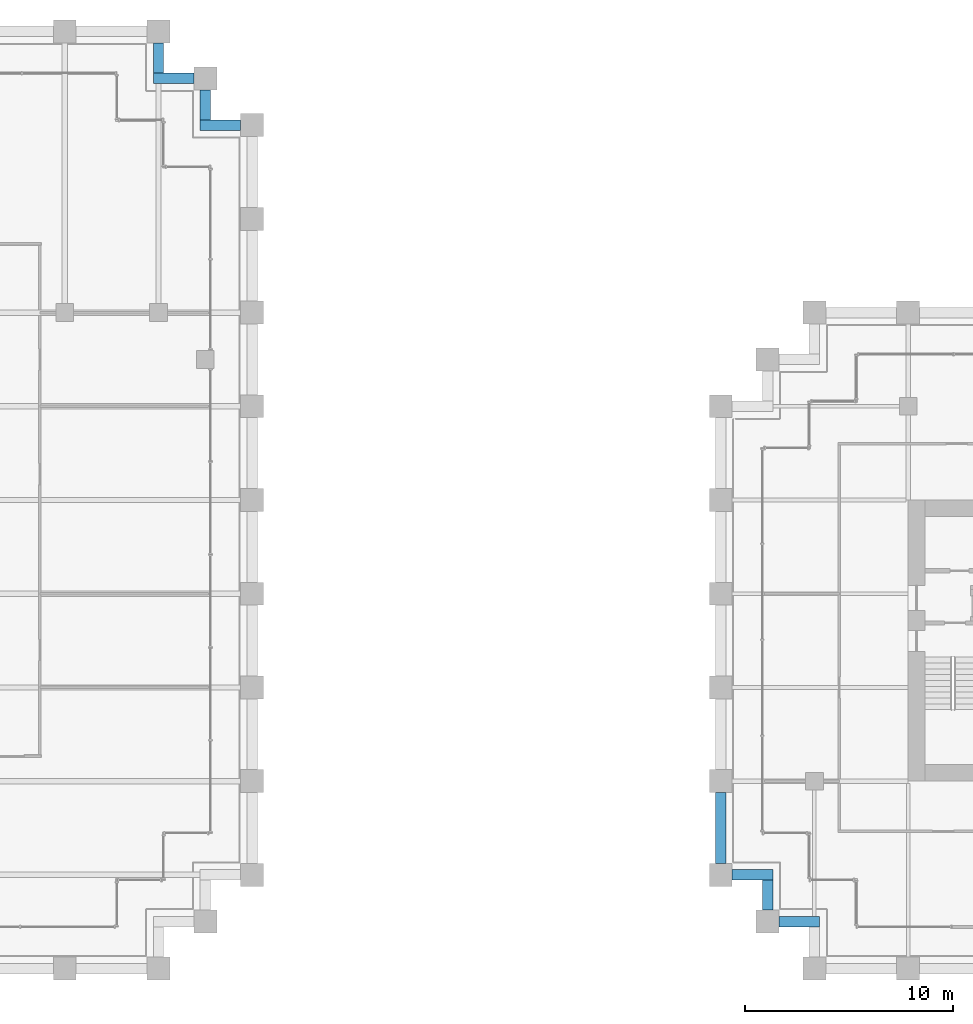
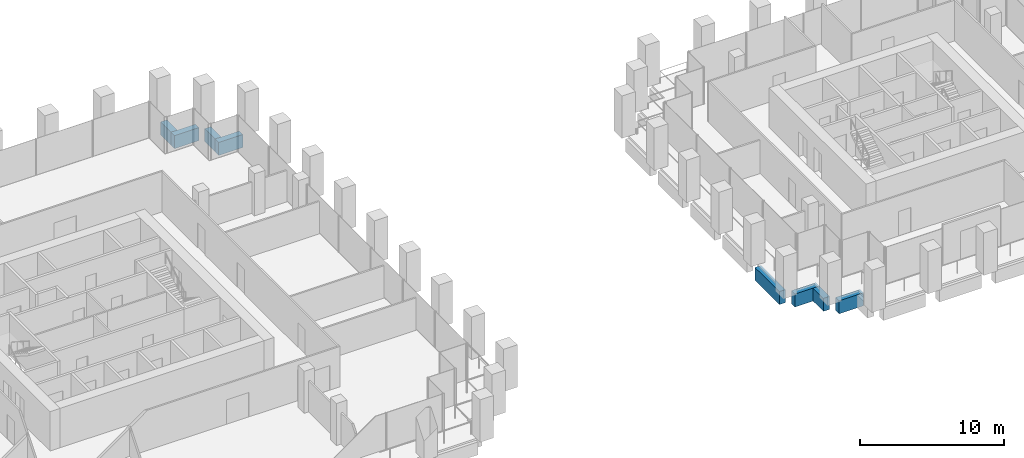
# One storey, part 33 of 56: 8 beams.
"""IFC4 building model written with IfcOpenShell, lengths in metres."""

from ifc_helpers import new_model, si_unit, direction, frame, origin, origin_2d, place, context, subcontext, project, spatial, rectangle, extrude, material, material_profile, profile_set, type_object, element, save


model = new_model("IFC4")

# Units and contexts
model_context = context("Model", 3, precision=1e-05, world=origin(), true_north=direction((0.0, 1.0)))
body_context = subcontext(model_context, "Body", "Model", "MODEL_VIEW")
ifc_project = project(units=[si_unit("LENGTHUNIT", "METRE"), si_unit("AREAUNIT", "SQUARE_METRE"), si_unit("VOLUMEUNIT", "CUBIC_METRE"), si_unit("PLANEANGLEUNIT", "RADIAN"), si_unit("MASSUNIT", "GRAM", prefix="KILO")], contexts=[model_context])

# Site, building, storey
site_placement = place(None, origin())
site = spatial("IfcSite", under=ifc_project, at=site_placement, CompositionType="ELEMENT")
building_placement = place(site_placement, origin())
building = spatial("IfcBuilding", under=site, at=building_placement, Name="Altepetl Exchange Towers", CompositionType="ELEMENT")
storey_placement = place(building_placement, frame((0.0, 0.0, 79.800048828125)))
storey = spatial("IfcBuildingStorey", under=building, at=storey_placement, Name="L19", CompositionType="ELEMENT", Elevation=79.800048828125)

# Beams
ifc_material_1 = material(Name="Concrete C50/60 precast with cantera rosa facing", Category="concrete")
ifc_material_profile_1 = material_profile(ifc_material_1, rectangle(XDim=0.5, YDim=1.10009765625, at=origin_2d()), Name="500 x 1100")
ifc_profile_set_1 = profile_set([ifc_material_profile_1], Name="Concrete C50/60 precast with cantera rosa facing")
beam_type_1 = type_object("IfcBeamType", Name="Spandrel beam 500x1100 cantera rosa", PredefinedType="SPANDREL", material=ifc_profile_set_1)
beam_1_placement = place(storey_placement, frame((71.449951171875, 67.5, -0.699951171875), z_axis=(-1.0, 0.0, 0.0), x_axis=(0.0, -1.0, 0.0)))
element("IfcBeam", 1, at=beam_1_placement, inside=storey, type_object=beam_type_1, Name="sp:A:L19:020", PredefinedType="SPANDREL", context=body_context, shape_type="SweptSolid", body=[
    extrude(rectangle(XDim=0.5, YDim=1.10009765625, at=origin_2d()), origin(), (0.0, 0.0, 1.0), 1.949951171875),
])
beam_2_placement = place(storey_placement, frame((69.75, 67.75, -0.699951171875), z_axis=(0.0, 1.0, 0.0), x_axis=(-1.0, 0.0, 0.0)))
element("IfcBeam", 2, at=beam_2_placement, inside=storey, type_object=beam_type_1, Name="sp:A:L19:021", PredefinedType="SPANDREL", context=body_context, shape_type="SweptSolid", body=[
    extrude(rectangle(XDim=0.5, YDim=1.10009765625, at=origin_2d()), origin(), (0.0, 0.0, 1.0), 1.449951171875),
])
beam_3_placement = place(storey_placement, frame((69.199951171875, 69.75, -0.699951171875), z_axis=(-1.0, 0.0, 0.0), x_axis=(0.0, -1.0, 0.0)))
element("IfcBeam", 3, at=beam_3_placement, inside=storey, type_object=beam_type_1, Name="sp:A:L19:022", PredefinedType="SPANDREL", context=body_context, shape_type="SweptSolid", body=[
    extrude(rectangle(XDim=0.5, YDim=1.10009765625, at=origin_2d()), origin(), (0.0, 0.0, 1.0), 1.949951171875),
])
beam_4_placement = place(storey_placement, frame((67.5, 70.0, -0.699951171875), z_axis=(0.0, 1.0, 0.0), x_axis=(-1.0, 0.0, 0.0)))
element("IfcBeam", 4, at=beam_4_placement, inside=storey, type_object=beam_type_1, Name="sp:A:L19:023", PredefinedType="SPANDREL", context=body_context, shape_type="SweptSolid", body=[
    extrude(rectangle(XDim=0.5, YDim=1.10009765625, at=origin_2d()), origin(), (0.0, 0.0, 1.0), 1.449951171875),
])
ifc_material_2 = material(Name="Concrete C50/60 precast with tezontle facing", Category="concrete")
ifc_material_profile_2 = material_profile(ifc_material_2, rectangle(XDim=0.5, YDim=1.10009765625, at=origin_2d()), Name="500 x 1100")
ifc_profile_set_2 = profile_set([ifc_material_profile_2], Name="Concrete C50/60 precast with tezontle facing")
beam_type_2 = type_object("IfcBeamType", Name="Spandrel beam 500x1100 tezontle", PredefinedType="SPANDREL", material=ifc_profile_set_2)
beam_5_placement = place(storey_placement, frame((94.5, 35.449951171875, -0.699951171875), z_axis=(0.0, -1.0, 0.0), x_axis=(1.0, 0.0, 0.0)))
element("IfcBeam", 5, at=beam_5_placement, inside=storey, type_object=beam_type_2, Name="sp:B:L19:031", PredefinedType="SPANDREL", context=body_context, shape_type="SweptSolid", body=[
    extrude(rectangle(XDim=0.5, YDim=1.10009765625, at=origin_2d()), origin(), (0.0, 0.0, 1.0), 3.39990234375),
])
beam_6_placement = place(storey_placement, frame((95.050048828125, 31.5, -0.699951171875), z_axis=(1.0, 0.0, 0.0), x_axis=(0.0, 1.0, 0.0)))
element("IfcBeam", 6, at=beam_6_placement, inside=storey, type_object=beam_type_2, Name="sp:B:L19:032", PredefinedType="SPANDREL", context=body_context, shape_type="SweptSolid", body=[
    extrude(rectangle(XDim=0.5, YDim=1.10009765625, at=origin_2d()), origin(), (0.0, 0.0, 1.0), 1.949951171875),
])
beam_7_placement = place(storey_placement, frame((96.75, 31.25, -0.699951171875), z_axis=(0.0, -1.0, 0.0), x_axis=(1.0, 0.0, 0.0)))
element("IfcBeam", 7, at=beam_7_placement, inside=storey, type_object=beam_type_2, Name="sp:B:L19:033", PredefinedType="SPANDREL", context=body_context, shape_type="SweptSolid", body=[
    extrude(rectangle(XDim=0.5, YDim=1.10009765625, at=origin_2d()), origin(), (0.0, 0.0, 1.0), 1.449951171875),
])
beam_8_placement = place(storey_placement, frame((97.300048828125, 29.25, -0.699951171875), z_axis=(1.0, 0.0, 0.0), x_axis=(0.0, 1.0, 0.0)))
element("IfcBeam", 8, at=beam_8_placement, inside=storey, type_object=beam_type_2, Name="sp:B:L19:034", PredefinedType="SPANDREL", context=body_context, shape_type="SweptSolid", body=[
    extrude(rectangle(XDim=0.5, YDim=1.10009765625, at=origin_2d()), origin(), (0.0, 0.0, 1.0), 1.949951171875),
])

save(model, "model.ifc")
